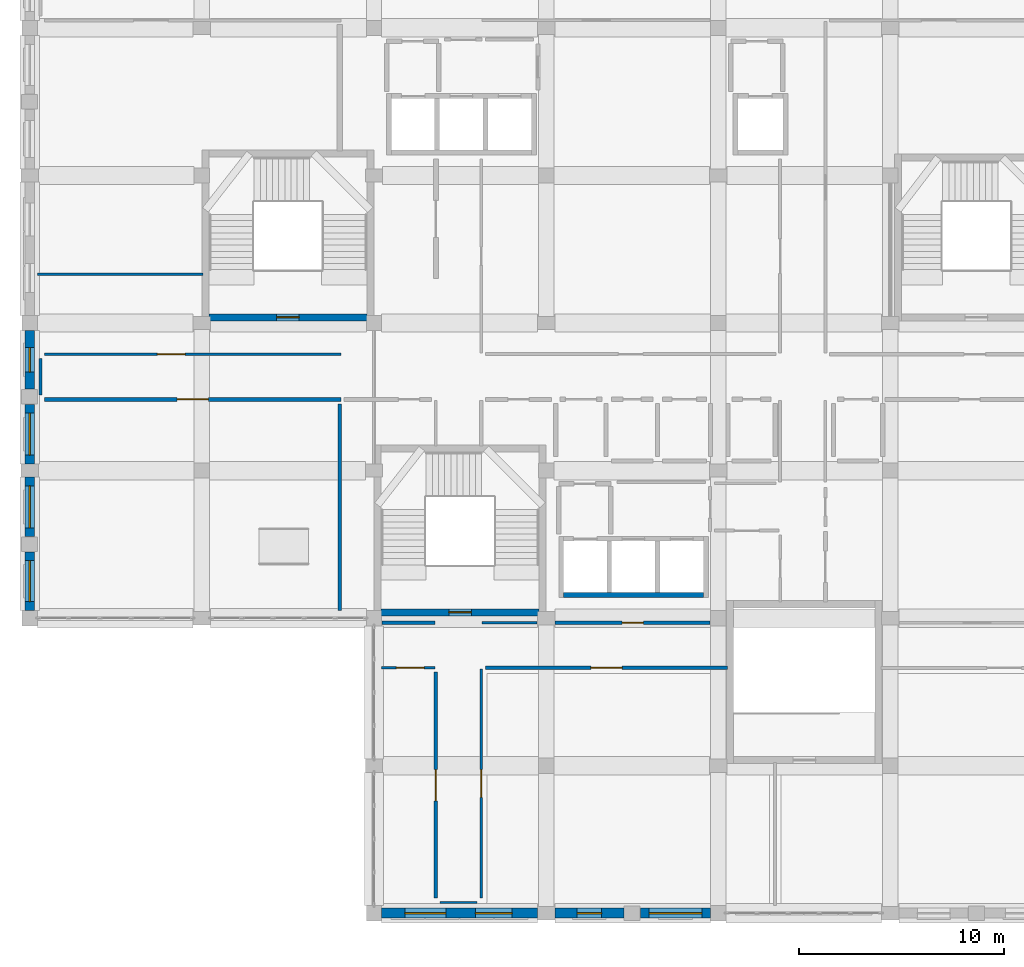
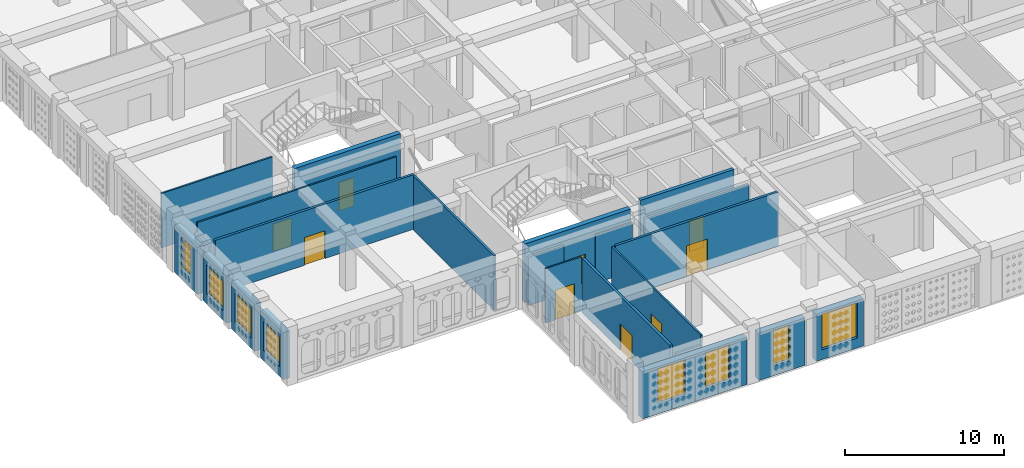
# One storey, part 55 of 111: 23 walls, 9 doors, 8 windows, 17 openings.
"""IFC4 building model written with IfcOpenShell, lengths in metres."""

from ifc_helpers import new_model, si_unit, derived_unit, direction, frame, frame_2d, origin, place, context, subcontext, project, spatial, rectangle, extrude, material, layer, layer_set, type_object, element, fill, save


model = new_model("IFC4")

# Units and contexts
model_context = context("Model", 3, precision=1e-05, world=origin(), true_north=direction((0.0, 1.0)))
body_context = subcontext(model_context, "Body", "Model", "MODEL_VIEW")
ifc_project = project(units=[si_unit("LENGTHUNIT", "METRE"), si_unit("AREAUNIT", "SQUARE_METRE"), si_unit("VOLUMEUNIT", "CUBIC_METRE"), si_unit("PLANEANGLEUNIT", "RADIAN"), si_unit("MASSUNIT", "GRAM", prefix="KILO"), derived_unit("THERMALTRANSMITTANCEUNIT", [(si_unit("POWERUNIT", "WATT"), 1), (si_unit("LENGTHUNIT", "METRE"), -2), (si_unit("THERMODYNAMICTEMPERATUREUNIT", "KELVIN"), -1)])], contexts=[model_context])

# Site, building, storey
site_placement = place(None, origin())
site = spatial("IfcSite", under=ifc_project, at=site_placement, CompositionType="ELEMENT")
building_placement = place(site_placement, origin())
building = spatial("IfcBuilding", under=site, at=building_placement, Name="Veybourne Emporium", CompositionType="ELEMENT")
storey_placement = place(building_placement, frame((0.0, 0.0, 9.89990234375)))
storey = spatial("IfcBuildingStorey", under=building, at=storey_placement, Name="L02", CompositionType="ELEMENT", Elevation=9.89990234375)

# Wall, opening, window
ifc_material_1 = material(Name="Portland Limestone Ashlar", Category="masonry")
ifc_layer_1 = layer(ifc_material_1, 0.47998046875)
ifc_layer_set_1 = layer_set([ifc_layer_1], Name="Portland Limestone Ashlar")
wall_type_1 = type_object("IfcWallType", Name="ExtWall_EW-01", PredefinedType="SOLIDWALL", material=ifc_layer_set_1)
wall_1_placement = place(storey_placement, frame((0.0, 14.77490234375, 0.0), z_axis=(0.0, 0.0, 1.0), x_axis=(0.0, 1.0, 0.0)))
wall_1 = element("IfcWall", 1, at=wall_1_placement, inside=storey, type_object=wall_type_1, Name="L02 Portland stone external wall 002A", PredefinedType="SOLIDWALL", context=body_context, shape_type="SweptSolid", body=[
    extrude(rectangle(XDim=2.85498046875, YDim=0.47998046875, at=frame_2d((1.427490234375, 0.0))), origin(), (0.0, 0.0, 1.0), 3.630126953125),
])
opening_1_placement = place(wall_1_placement, frame((0.427490234375, 0.0, 0.75)))
opening_1 = element("IfcOpeningElement", 2, at=opening_1_placement, cuts=wall_1, Name="Opening W-22", PredefinedType="OPENING", context=body_context, shape_type="SweptSolid", body=[
    extrude(rectangle(XDim=2.0, YDim=2.260009765625, at=frame_2d((1.0, 1.1298828125))), frame((0.0, 0.260009765625, 0.0), z_axis=(0.0, -1.0, 0.0), x_axis=(1.0, 0.0, 0.0)), (0.0, 0.0, 1.0), 0.52001953125),
])
ifc_material_2 = material(Name="Low-E Triple Glazing", Category="glass")
window_type_1 = type_object("IfcWindowType", Name="Win_W-22", PartitioningType="TRIPLE_PANEL_VERTICAL", PredefinedType="WINDOW", material=ifc_material_2)
window_1_placement = place(opening_1_placement, origin())
window_1 = element("IfcWindow", 3, at=window_1_placement, inside=storey, type_object=window_type_1, Name="L02 tripartite bronze casement window W-22 (2A)", OverallHeight=2.260009765625, OverallWidth=2.0, PartitioningType="TRIPLE_PANEL_VERTICAL", PredefinedType="WINDOW", context=body_context, shape_type="SweptSolid", body=[
    extrude(rectangle(XDim=2.0, YDim=2.260009765625, at=frame_2d((1.0, 1.1298828125))), frame((0.0, 0.030029296875, 0.0), z_axis=(0.0, -1.0, 0.0), x_axis=(1.0, 0.0, 0.0)), (0.0, 0.0, 1.0), 0.06005859375),
])
fill(opening_1, window_1)

wall_2_placement = place(storey_placement, frame((0.0, 18.3701171875, 0.0), z_axis=(0.0, 0.0, 1.0), x_axis=(0.0, 1.0, 0.0)))
wall_2 = element("IfcWall", 4, at=wall_2_placement, inside=storey, type_object=wall_type_1, Name="L02 Portland stone external wall 002B", PredefinedType="SOLIDWALL", context=body_context, shape_type="SweptSolid", body=[
    extrude(rectangle(XDim=2.90478515625, YDim=0.47998046875, at=frame_2d((1.452392578125, 0.0))), origin(), (0.0, 0.0, 1.0), 3.630126953125),
])
opening_2_placement = place(wall_2_placement, frame((0.427490234375, 0.0, 0.75)))
opening_2 = element("IfcOpeningElement", 5, at=opening_2_placement, cuts=wall_2, Name="Opening W-23", PredefinedType="OPENING", context=body_context, shape_type="SweptSolid", body=[
    extrude(rectangle(XDim=2.050048828125, YDim=2.260009765625, at=frame_2d((1.02490234375, 1.1298828125))), frame((0.0, 0.260009765625, 0.0), z_axis=(0.0, -1.0, 0.0), x_axis=(1.0, 0.0, 0.0)), (0.0, 0.0, 1.0), 0.52001953125),
])
window_type_2 = type_object("IfcWindowType", Name="Win_W-23", PartitioningType="TRIPLE_PANEL_VERTICAL", PredefinedType="WINDOW", material=ifc_material_2)
window_2_placement = place(opening_2_placement, origin())
window_2 = element("IfcWindow", 6, at=window_2_placement, inside=storey, type_object=window_type_2, Name="L02 tripartite bronze casement window W-23 (2B)", OverallHeight=2.260009765625, OverallWidth=2.050048828125, PartitioningType="TRIPLE_PANEL_VERTICAL", PredefinedType="WINDOW", context=body_context, shape_type="SweptSolid", body=[
    extrude(rectangle(XDim=2.050048828125, YDim=2.260009765625, at=frame_2d((1.02490234375, 1.1298828125))), frame((0.0, 0.030029296875, 0.0), z_axis=(0.0, -1.0, 0.0), x_axis=(1.0, 0.0, 0.0)), (0.0, 0.0, 1.0), 0.06005859375),
])
fill(opening_2, window_2)

wall_3_placement = place(storey_placement, frame((0.0, 21.925048828125, 0.0), z_axis=(0.0, 0.0, 1.0), x_axis=(0.0, 1.0, 0.0)))
wall_3 = element("IfcWall", 7, at=wall_3_placement, inside=storey, type_object=wall_type_1, Name="L02 Portland stone external wall 003A", PredefinedType="SOLIDWALL", context=body_context, shape_type="SweptSolid", body=[
    extrude(rectangle(XDim=2.905029296875, YDim=0.47998046875, at=frame_2d((1.45263671875, 0.0))), origin(), (0.0, 0.0, 1.0), 3.630126953125),
])
opening_3_placement = place(wall_3_placement, frame((0.427490234375, 0.0, 0.75)))
opening_3 = element("IfcOpeningElement", 8, at=opening_3_placement, cuts=wall_3, Name="Opening W-24", PredefinedType="OPENING", context=body_context, shape_type="SweptSolid", body=[
    extrude(rectangle(XDim=2.050048828125, YDim=2.260009765625, at=frame_2d((1.02490234375, 1.1298828125))), frame((0.0, 0.260009765625, 0.0), z_axis=(0.0, -1.0, 0.0), x_axis=(1.0, 0.0, 0.0)), (0.0, 0.0, 1.0), 0.52001953125),
])
window_type_3 = type_object("IfcWindowType", Name="Win_W-24", PartitioningType="TRIPLE_PANEL_VERTICAL", PredefinedType="WINDOW", material=ifc_material_2)
window_3_placement = place(opening_3_placement, origin())
window_3 = element("IfcWindow", 9, at=window_3_placement, inside=storey, type_object=window_type_3, Name="L02 tripartite bronze casement window W-24 (3A)", OverallHeight=2.260009765625, OverallWidth=2.050048828125, PartitioningType="TRIPLE_PANEL_VERTICAL", PredefinedType="WINDOW", context=body_context, shape_type="SweptSolid", body=[
    extrude(rectangle(XDim=2.050048828125, YDim=2.260009765625, at=frame_2d((1.02490234375, 1.1298828125))), frame((0.0, 0.030029296875, 0.0), z_axis=(0.0, -1.0, 0.0), x_axis=(1.0, 0.0, 0.0)), (0.0, 0.0, 1.0), 0.06005859375),
])
fill(opening_3, window_3)

wall_4_placement = place(storey_placement, frame((0.0, 25.570068359375, 0.0), z_axis=(0.0, 0.0, 1.0), x_axis=(0.0, 1.0, 0.0)))
wall_4 = element("IfcWall", 10, at=wall_4_placement, inside=storey, type_object=wall_type_1, Name="L02 Portland stone external wall 003B", PredefinedType="SOLIDWALL", context=body_context, shape_type="SweptSolid", body=[
    extrude(rectangle(XDim=2.85498046875, YDim=0.47998046875, at=frame_2d((1.427490234375, 0.0))), origin(), (0.0, 0.0, 1.0), 3.630126953125),
])
opening_4_placement = place(wall_4_placement, frame((0.827392578125, 0.0, 0.75)))
opening_4 = element("IfcOpeningElement", 11, at=opening_4_placement, cuts=wall_4, Name="Opening W-25", PredefinedType="OPENING", context=body_context, shape_type="SweptSolid", body=[
    extrude(rectangle(XDim=1.199951171875, YDim=2.43994140625, at=frame_2d((0.60009765625, 1.219970703125))), frame((0.0, 0.260009765625, 0.0), z_axis=(0.0, -1.0, 0.0), x_axis=(1.0, 0.0, 0.0)), (0.0, 0.0, 1.0), 0.52001953125),
])
window_type_4 = type_object("IfcWindowType", Name="Win_W-25", PartitioningType="SINGLE_PANEL", PredefinedType="WINDOW", material=ifc_material_2)
window_4_placement = place(opening_4_placement, origin())
window_4 = element("IfcWindow", 12, at=window_4_placement, inside=storey, type_object=window_type_4, Name="L02 tripartite bronze casement window W-25 (3B)", OverallHeight=2.43994140625, OverallWidth=1.199951171875, PartitioningType="SINGLE_PANEL", PredefinedType="WINDOW", context=body_context, shape_type="SweptSolid", body=[
    extrude(rectangle(XDim=1.199951171875, YDim=2.43994140625, at=frame_2d((0.60009765625, 1.219970703125))), frame((0.0, 0.030029296875, 0.0), z_axis=(0.0, -1.0, 0.0), x_axis=(1.0, 0.0, 0.0)), (0.0, 0.0, 1.0), 0.06005859375),
])
fill(opening_4, window_4)

# Wall, openings, windows
wall_5_placement = place(storey_placement, frame((24.77490234375, 0.0, 0.0), z_axis=(0.0, 0.0, 1.0), x_axis=(-1.0, 0.0, 0.0)))
wall_5 = element("IfcWall", 13, at=wall_5_placement, inside=storey, type_object=wall_type_1, Name="L02 Portland stone external wall 014", PredefinedType="SOLIDWALL", context=body_context, shape_type="SweptSolid", body=[
    extrude(rectangle(XDim=7.599853515625, YDim=0.47998046875, at=frame_2d((3.7998046875, 0.0))), origin(), (0.0, 0.0, 1.0), 3.630126953125),
])
opening_5_placement = place(wall_5_placement, frame((1.22802734375, 0.0, 0.75)))
opening_5 = element("IfcOpeningElement", 14, at=opening_5_placement, cuts=wall_5, Name="Opening W-44", PredefinedType="OPENING", context=body_context, shape_type="SweptSolid", body=[
    extrude(rectangle(XDim=1.800048828125, YDim=2.72998046875, at=frame_2d((0.89990234375, 1.364990234375))), frame((0.0, 0.260009765625, 0.0), z_axis=(0.0, -1.0, 0.0), x_axis=(1.0, 0.0, 0.0)), (0.0, 0.0, 1.0), 0.52001953125),
])
opening_6_placement = place(wall_5_placement, frame((4.471923828125, 0.0, 0.75)))
opening_6 = element("IfcOpeningElement", 15, at=opening_6_placement, cuts=wall_5, Name="Opening W-45", PredefinedType="OPENING", context=body_context, shape_type="SweptSolid", body=[
    extrude(rectangle(XDim=2.0, YDim=2.72998046875, at=frame_2d((1.0, 1.364990234375))), frame((0.0, 0.260009765625, 0.0), z_axis=(0.0, -1.0, 0.0), x_axis=(1.0, 0.0, 0.0)), (0.0, 0.0, 1.0), 0.52001953125),
])
window_type_5 = type_object("IfcWindowType", Name="Win_W-44", PartitioningType="DOUBLE_PANEL_VERTICAL", PredefinedType="WINDOW", material=ifc_material_2)
window_5_placement = place(opening_5_placement, origin())
window_5 = element("IfcWindow", 16, at=window_5_placement, inside=storey, type_object=window_type_5, Name="L02 tripartite bronze casement window W-44 (14.1)", OverallHeight=2.72998046875, OverallWidth=1.800048828125, PartitioningType="DOUBLE_PANEL_VERTICAL", PredefinedType="WINDOW", context=body_context, shape_type="SweptSolid", body=[
    extrude(rectangle(XDim=1.800048828125, YDim=2.72998046875, at=frame_2d((0.89990234375, 1.364990234375))), frame((0.0, 0.030029296875, 0.0), z_axis=(0.0, -1.0, 0.0), x_axis=(1.0, 0.0, 0.0)), (0.0, 0.0, 1.0), 0.06005859375),
])
fill(opening_5, window_5)
window_type_6 = type_object("IfcWindowType", Name="Win_W-45", PartitioningType="TRIPLE_PANEL_VERTICAL", PredefinedType="WINDOW", material=ifc_material_2)
window_6_placement = place(opening_6_placement, origin())
window_6 = element("IfcWindow", 17, at=window_6_placement, inside=storey, type_object=window_type_6, Name="L02 tripartite bronze casement window W-45 (14.2)", OverallHeight=2.72998046875, OverallWidth=2.0, PartitioningType="TRIPLE_PANEL_VERTICAL", PredefinedType="WINDOW", context=body_context, shape_type="SweptSolid", body=[
    extrude(rectangle(XDim=2.0, YDim=2.72998046875, at=frame_2d((1.0, 1.364990234375))), frame((0.0, 0.030029296875, 0.0), z_axis=(0.0, -1.0, 0.0), x_axis=(1.0, 0.0, 0.0)), (0.0, 0.0, 1.0), 0.06005859375),
])
fill(opening_6, window_6)

# Wall, opening, window
wall_6_placement = place(storey_placement, frame((33.22509765625, 0.0, 0.0), z_axis=(0.0, 0.0, 1.0), x_axis=(-1.0, 0.0, 0.0)))
wall_6 = element("IfcWall", 18, at=wall_6_placement, inside=storey, type_object=wall_type_1, Name="L02 Portland stone external wall 019A", PredefinedType="SOLIDWALL", context=body_context, shape_type="SweptSolid", body=[
    extrude(rectangle(XDim=3.425048828125, YDim=0.47998046875, at=frame_2d((1.71240234375, 0.0))), origin(), (0.0, 0.0, 1.0), 3.630126953125),
])
opening_7_placement = place(wall_6_placement, frame((0.427490234375, 0.0, 0.75)))
opening_7 = element("IfcOpeningElement", 19, at=opening_7_placement, cuts=wall_6, Name="Opening W-48", PredefinedType="OPENING", context=body_context, shape_type="SweptSolid", body=[
    extrude(rectangle(XDim=2.570068359375, YDim=2.72998046875, at=frame_2d((1.28515625, 1.364990234375))), frame((0.0, 0.260009765625, 0.0), z_axis=(0.0, -1.0, 0.0), x_axis=(1.0, 0.0, 0.0)), (0.0, 0.0, 1.0), 0.52001953125),
])
window_type_7 = type_object("IfcWindowType", Name="Win_W-48", PartitioningType="TRIPLE_PANEL_VERTICAL", PredefinedType="WINDOW", material=ifc_material_2)
window_7_placement = place(opening_7_placement, origin())
window_7 = element("IfcWindow", 20, at=window_7_placement, inside=storey, type_object=window_type_7, Name="L02 tripartite bronze casement window W-48 (19A)", OverallHeight=2.72998046875, OverallWidth=2.570068359375, PartitioningType="TRIPLE_PANEL_VERTICAL", PredefinedType="WINDOW", context=body_context, shape_type="SweptSolid", body=[
    extrude(rectangle(XDim=2.570068359375, YDim=2.72998046875, at=frame_2d((1.28515625, 1.364990234375))), frame((0.0, 0.030029296875, 0.0), z_axis=(0.0, -1.0, 0.0), x_axis=(1.0, 0.0, 0.0)), (0.0, 0.0, 1.0), 0.06005859375),
])
fill(opening_7, window_7)

wall_7_placement = place(storey_placement, frame((29.0, 0.0, 0.0), z_axis=(0.0, 0.0, 1.0), x_axis=(-1.0, 0.0, 0.0)))
wall_7 = element("IfcWall", 21, at=wall_7_placement, inside=storey, type_object=wall_type_1, Name="L02 Portland stone external wall 019B", PredefinedType="SOLIDWALL", context=body_context, shape_type="SweptSolid", body=[
    extrude(rectangle(XDim=3.375, YDim=0.47998046875, at=frame_2d((1.6875, 0.0))), origin(), (0.0, 0.0, 1.0), 3.630126953125),
])
opening_8_placement = place(wall_7_placement, frame((1.08740234375, 0.0, 0.75)))
opening_8 = element("IfcOpeningElement", 22, at=opening_8_placement, cuts=wall_7, Name="Opening W-49", PredefinedType="OPENING", context=body_context, shape_type="SweptSolid", body=[
    extrude(rectangle(XDim=1.199951171875, YDim=2.72998046875, at=frame_2d((0.60009765625, 1.364990234375))), frame((0.0, 0.260009765625, 0.0), z_axis=(0.0, -1.0, 0.0), x_axis=(1.0, 0.0, 0.0)), (0.0, 0.0, 1.0), 0.52001953125),
])
window_type_8 = type_object("IfcWindowType", Name="Win_W-49", PartitioningType="SINGLE_PANEL", PredefinedType="WINDOW", material=ifc_material_2)
window_8_placement = place(opening_8_placement, origin())
window_8 = element("IfcWindow", 23, at=window_8_placement, inside=storey, type_object=window_type_8, Name="L02 tripartite bronze casement window W-49 (19B)", OverallHeight=2.72998046875, OverallWidth=1.199951171875, PartitioningType="SINGLE_PANEL", PredefinedType="WINDOW", context=body_context, shape_type="SweptSolid", body=[
    extrude(rectangle(XDim=1.199951171875, YDim=2.72998046875, at=frame_2d((0.60009765625, 1.364990234375))), frame((0.0, 0.030029296875, 0.0), z_axis=(0.0, -1.0, 0.0), x_axis=(1.0, 0.0, 0.0)), (0.0, 0.0, 1.0), 0.06005859375),
])
fill(opening_8, window_8)

# Wall, opening, door
ifc_material_3 = material(Name="Concrete C40/50", Category="concrete")
ifc_layer_2 = layer(ifc_material_3, 0.35009765625)
ifc_layer_set_2 = layer_set([ifc_layer_2], Name="Concrete C40/50")
wall_type_2 = type_object("IfcWallType", Name="IntWall_CW-02", PredefinedType="SHEAR", material=ifc_layer_set_2)
wall_8_placement = place(storey_placement, frame((24.85009765625, 14.675048828125, 0.0), z_axis=(0.0, 0.0, 1.0), x_axis=(-1.0, 0.0, 0.0)))
wall_8 = element("IfcWall", 24, at=wall_8_placement, inside=storey, type_object=wall_type_2, Name="Core stair ST-01 south shear wall (L02)", PredefinedType="SHEAR", context=body_context, shape_type="SweptSolid", body=[
    extrude(rectangle(XDim=7.7001953125, YDim=0.35009765625, at=frame_2d((3.85009765625, 0.0))), origin(), (0.0, 0.0, 1.0), 4.5),
])
opening_9_placement = place(wall_8_placement, frame((3.300048828125, 0.0, 0.0)))
opening_9 = element("IfcOpeningElement", 25, at=opening_9_placement, cuts=wall_8, Name="Opening FD-01", PredefinedType="OPENING", context=body_context, shape_type="SweptSolid", body=[
    extrude(rectangle(XDim=1.10009765625, YDim=2.199951171875, at=frame_2d((0.550048828125, 1.10009765625))), frame((0.0, 0.195068359375, 0.0), z_axis=(0.0, -1.0, 0.0), x_axis=(1.0, 0.0, 0.0)), (0.0, 0.0, 1.0), 0.39013671875),
])
ifc_material_4 = material(Name="Patinated Architectural Bronze", Category="bronze")
door_type_1 = type_object("IfcDoorType", Name="FireDoor_FD-01", OperationType="NOTDEFINED", PredefinedType="DOOR", material=ifc_material_4)
door_1_placement = place(opening_9_placement, origin())
door_1 = element("IfcDoor", 26, at=door_1_placement, inside=storey, type_object=door_type_1, Name="Stair ST-01 fire door (L02)", OperationType="SINGLE_SWING_LEFT", OverallHeight=2.199951171875, OverallWidth=1.10009765625, PredefinedType="DOOR", context=body_context, shape_type="SweptSolid", body=[
    extrude(rectangle(XDim=1.10009765625, YDim=2.199951171875, at=frame_2d((0.550048828125, 1.10009765625))), frame((0.0, 0.02490234375, 0.0), z_axis=(0.0, -1.0, 0.0), x_axis=(1.0, 0.0, 0.0)), (0.0, 0.0, 1.0), 0.050048828125),
])
fill(opening_9, door_1)

wall_9_placement = place(storey_placement, frame((16.449951171875, 29.074951171875, 0.0), z_axis=(0.0, 0.0, 1.0), x_axis=(-1.0, 0.0, 0.0)))
wall_9 = element("IfcWall", 27, at=wall_9_placement, inside=storey, type_object=wall_type_2, Name="Core stair ST-02 south shear wall (L02)", PredefinedType="SHEAR", context=body_context, shape_type="SweptSolid", body=[
    extrude(rectangle(XDim=7.699951171875, YDim=0.35009765625, at=frame_2d((3.85009765625, 0.0))), origin(), (0.0, 0.0, 1.0), 4.5),
])
opening_10_placement = place(wall_9_placement, frame((3.300048828125, 0.0, 0.0)))
opening_10 = element("IfcOpeningElement", 28, at=opening_10_placement, cuts=wall_9, Name="Opening FD-01", PredefinedType="OPENING", context=body_context, shape_type="SweptSolid", body=[
    extrude(rectangle(XDim=1.10009765625, YDim=2.199951171875, at=frame_2d((0.550048828125, 1.10009765625))), frame((0.0, 0.195068359375, 0.0), z_axis=(0.0, -1.0, 0.0), x_axis=(1.0, 0.0, 0.0)), (0.0, 0.0, 1.0), 0.39013671875),
])
door_2_placement = place(opening_10_placement, origin())
door_2 = element("IfcDoor", 29, at=door_2_placement, inside=storey, type_object=door_type_1, Name="Stair ST-02 fire door (L02)", OperationType="SINGLE_SWING_RIGHT", OverallHeight=2.199951171875, OverallWidth=1.10009765625, PredefinedType="DOOR", context=body_context, shape_type="SweptSolid", body=[
    extrude(rectangle(XDim=1.10009765625, YDim=2.199951171875, at=frame_2d((0.550048828125, 1.10009765625))), frame((0.0, 0.02490234375, 0.0), z_axis=(0.0, -1.0, 0.0), x_axis=(1.0, 0.0, 0.0)), (0.0, 0.0, 1.0), 0.050048828125),
])
fill(opening_10, door_2)

# Wall
ifc_layer_3 = layer(ifc_material_3, 0.239990234375)
ifc_layer_set_3 = layer_set([ifc_layer_3], Name="Concrete C40/50")
wall_type_3 = type_object("IfcWallType", Name="IntWall_CW-04", PredefinedType="SHEAR", material=ifc_layer_set_3)
wall_10_placement = place(storey_placement, frame((26.06005859375, 15.530029296875, 0.0), z_axis=(0.0, 0.0, 1.0), x_axis=(1.0, 0.0, 0.0)))
element("IfcWall", 30, at=wall_10_placement, inside=storey, type_object=wall_type_3, Name="Lift core C1 south shaft wall (L02)", PredefinedType="SHEAR", context=body_context, shape_type="SweptSolid", body=[
    extrude(rectangle(XDim=6.81982421875, YDim=0.239990234375, at=frame_2d((3.409912109375, 0.0))), origin(), (0.0, 0.0, 1.0), 4.18017578125),
])

# Wall, opening, door
ifc_material_5 = material(Name="Gypsum Acoustic Board", Category="gypsum")
ifc_layer_4 = layer(ifc_material_5, 0.179931640625)
ifc_layer_set_4 = layer_set([ifc_layer_4], Name="Gypsum Acoustic Board")
wall_type_4 = type_object("IfcWallType", Name="IntWall_IW-01", PredefinedType="PARTITIONING", material=ifc_layer_set_4)
wall_11_placement = place(storey_placement, frame((0.72998046875, 25.070068359375, 0.0), z_axis=(0.0, 0.0, 1.0), x_axis=(1.0, 0.0, 0.0)))
wall_11 = element("IfcWall", 31, at=wall_11_placement, inside=storey, type_object=wall_type_4, Name="L02 interior partition IW-01 #027", PredefinedType="PARTITIONING", context=body_context, shape_type="SweptSolid", body=[
    extrude(rectangle(XDim=14.449951171875, YDim=0.179931640625, at=frame_2d((7.22509765625, 0.0))), origin(), (0.0, 0.0, 1.0), 4.18017578125),
])
opening_11_placement = place(wall_11_placement, frame((6.465087890625, 0.0, 0.0)))
opening_11 = element("IfcOpeningElement", 32, at=opening_11_placement, cuts=wall_11, Name="Opening D-11", PredefinedType="OPENING", context=body_context, shape_type="SweptSolid", body=[
    extrude(rectangle(XDim=1.52001953125, YDim=2.1298828125, at=frame_2d((0.760009765625, 1.06494140625))), frame((0.0, 0.10986328125, 0.0), z_axis=(0.0, -1.0, 0.0), x_axis=(1.0, 0.0, 0.0)), (0.0, 0.0, 1.0), 0.219970703125),
])
ifc_material_6 = material(Name="European Oak Veneer and Bronze", Category="wood")
door_type_2 = type_object("IfcDoorType", Name="IntDoor_D-11", OperationType="NOTDEFINED", PredefinedType="DOOR", material=ifc_material_6)
door_3_placement = place(opening_11_placement, origin())
door_3 = element("IfcDoor", 33, at=door_3_placement, inside=storey, type_object=door_type_2, Name="L02 interior door D-11 (PART-L02-027)", OperationType="SINGLE_SWING_LEFT", OverallHeight=2.1298828125, OverallWidth=1.52001953125, PredefinedType="DOOR", context=body_context, shape_type="SweptSolid", body=[
    extrude(rectangle(XDim=1.52001953125, YDim=2.1298828125, at=frame_2d((0.760009765625, 1.06494140625))), frame((0.0, 0.02490234375, 0.0), z_axis=(0.0, -1.0, 0.0), x_axis=(1.0, 0.0, 0.0)), (0.0, 0.0, 1.0), 0.050048828125),
])
fill(opening_11, door_3)

wall_12_placement = place(storey_placement, frame((25.64501953125, 14.179931640625, 0.0), z_axis=(0.0, 0.0, 1.0), x_axis=(1.0, 0.0, 0.0)))
wall_12 = element("IfcWall", 34, at=wall_12_placement, inside=storey, type_object=wall_type_4, Name="L02 interior partition IW-01 #042", PredefinedType="PARTITIONING", context=body_context, shape_type="SweptSolid", body=[
    extrude(rectangle(XDim=7.56005859375, YDim=0.179931640625, at=frame_2d((3.780029296875, 0.0))), origin(), (0.0, 0.0, 1.0), 3.72998046875),
])
opening_12_placement = place(wall_12_placement, frame((3.260009765625, 0.0, 0.0)))
opening_12 = element("IfcOpeningElement", 35, at=opening_12_placement, cuts=wall_12, Name="Opening D-26", PredefinedType="OPENING", context=body_context, shape_type="SweptSolid", body=[
    extrude(rectangle(XDim=1.0400390625, YDim=2.3701171875, at=frame_2d((0.52001953125, 1.18505859375))), frame((0.0, 0.10986328125, 0.0), z_axis=(0.0, -1.0, 0.0), x_axis=(1.0, 0.0, 0.0)), (0.0, 0.0, 1.0), 0.219970703125),
])
door_type_3 = type_object("IfcDoorType", Name="IntDoor_D-26", OperationType="NOTDEFINED", PredefinedType="DOOR", material=ifc_material_6)
door_4_placement = place(opening_12_placement, origin())
door_4 = element("IfcDoor", 36, at=door_4_placement, inside=storey, type_object=door_type_3, Name="L02 interior door D-26 (PART-L02-042)", OperationType="SINGLE_SWING_LEFT", OverallHeight=2.3701171875, OverallWidth=1.0400390625, PredefinedType="DOOR", context=body_context, shape_type="SweptSolid", body=[
    extrude(rectangle(XDim=1.0400390625, YDim=2.3701171875, at=frame_2d((0.52001953125, 1.18505859375))), frame((0.0, 0.02490234375, 0.0), z_axis=(0.0, -1.0, 0.0), x_axis=(1.0, 0.0, 0.0)), (0.0, 0.0, 1.0), 0.050048828125),
])
fill(opening_12, door_4)

wall_13_placement = place(storey_placement, frame((22.239990234375, 11.969970703125, 0.0), z_axis=(0.0, 0.0, 1.0), x_axis=(1.0, 0.0, 0.0)))
wall_13 = element("IfcWall", 37, at=wall_13_placement, inside=storey, type_object=wall_type_4, Name="L02 interior partition IW-01 #045", PredefinedType="PARTITIONING", context=body_context, shape_type="SweptSolid", body=[
    extrude(rectangle(XDim=11.820068359375, YDim=0.179931640625, at=frame_2d((5.91015625, 0.0))), origin(), (0.0, 0.0, 1.0), 4.18017578125),
])
opening_13_placement = place(wall_13_placement, frame((5.14990234375, 0.0, 0.0)))
opening_13 = element("IfcOpeningElement", 38, at=opening_13_placement, cuts=wall_13, Name="Opening D-29", PredefinedType="OPENING", context=body_context, shape_type="SweptSolid", body=[
    extrude(rectangle(XDim=1.52001953125, YDim=2.3701171875, at=frame_2d((0.760009765625, 1.18505859375))), frame((0.0, 0.10986328125, 0.0), z_axis=(0.0, -1.0, 0.0), x_axis=(1.0, 0.0, 0.0)), (0.0, 0.0, 1.0), 0.219970703125),
])
door_type_4 = type_object("IfcDoorType", Name="IntDoor_D-29", OperationType="NOTDEFINED", PredefinedType="DOOR", material=ifc_material_6)
door_5_placement = place(opening_13_placement, origin())
door_5 = element("IfcDoor", 39, at=door_5_placement, inside=storey, type_object=door_type_4, Name="L02 interior door D-29 (PART-L02-045)", OperationType="SINGLE_SWING_LEFT", OverallHeight=2.3701171875, OverallWidth=1.52001953125, PredefinedType="DOOR", context=body_context, shape_type="SweptSolid", body=[
    extrude(rectangle(XDim=1.52001953125, YDim=2.3701171875, at=frame_2d((0.760009765625, 1.18505859375))), frame((0.0, 0.02490234375, 0.0), z_axis=(0.0, -1.0, 0.0), x_axis=(1.0, 0.0, 0.0)), (0.0, 0.0, 1.0), 0.050048828125),
])
fill(opening_13, door_5)

wall_14_placement = place(storey_placement, frame((19.820068359375, 0.72998046875, 0.0), z_axis=(0.0, 0.0, 1.0), x_axis=(0.0, 1.0, 0.0)))
wall_14 = element("IfcWall", 40, at=wall_14_placement, inside=storey, type_object=wall_type_4, Name="L02 interior partition IW-01 #057", PredefinedType="PARTITIONING", context=body_context, shape_type="SweptSolid", body=[
    extrude(rectangle(XDim=11.030029296875, YDim=0.179931640625, at=frame_2d((5.51513671875, 0.0))), origin(), (0.0, 0.0, 1.0), 4.18017578125),
])
opening_14_placement = place(wall_14_placement, frame((4.7548828125, 0.0, 0.0)))
opening_14 = element("IfcOpeningElement", 41, at=opening_14_placement, cuts=wall_14, Name="Opening D-05", PredefinedType="OPENING", context=body_context, shape_type="SweptSolid", body=[
    extrude(rectangle(XDim=1.52001953125, YDim=2.050048828125, at=frame_2d((0.760009765625, 1.02490234375))), frame((0.0, 0.10986328125, 0.0), z_axis=(0.0, -1.0, 0.0), x_axis=(1.0, 0.0, 0.0)), (0.0, 0.0, 1.0), 0.219970703125),
])
door_type_5 = type_object("IfcDoorType", Name="IntDoor_D-05", OperationType="NOTDEFINED", PredefinedType="DOOR", material=ifc_material_6)
door_6_placement = place(opening_14_placement, origin())
door_6 = element("IfcDoor", 42, at=door_6_placement, inside=storey, type_object=door_type_5, Name="L02 interior door D-05 (PART-L02-057)", OperationType="SINGLE_SWING_LEFT", OverallHeight=2.050048828125, OverallWidth=1.52001953125, PredefinedType="DOOR", context=body_context, shape_type="SweptSolid", body=[
    extrude(rectangle(XDim=1.52001953125, YDim=2.050048828125, at=frame_2d((0.760009765625, 1.02490234375))), frame((0.0, 0.02490234375, 0.0), z_axis=(0.0, -1.0, 0.0), x_axis=(1.0, 0.0, 0.0)), (0.0, 0.0, 1.0), 0.050048828125),
])
fill(opening_14, door_6)

# Walls
wall_15_placement = place(storey_placement, frame((17.195068359375, 14.179931640625, 0.0), z_axis=(0.0, 0.0, 1.0), x_axis=(1.0, 0.0, 0.0)))
element("IfcWall", 43, at=wall_15_placement, inside=storey, type_object=wall_type_4, Name="L02 interior partition IW-01 #111", PredefinedType="PARTITIONING", context=body_context, shape_type="SweptSolid", body=[
    extrude(rectangle(XDim=2.574951171875, YDim=0.179931640625, at=frame_2d((1.28759765625, 0.0))), origin(), (0.0, 0.0, 1.0), 3.72998046875),
])
ifc_layer_5 = layer(ifc_material_5, 0.14990234375)
ifc_layer_set_5 = layer_set([ifc_layer_5], Name="Gypsum Acoustic Board")
wall_type_5 = type_object("IfcWallType", Name="IntWall_IW-02", PredefinedType="PARTITIONING", material=ifc_layer_set_5)
wall_16_placement = place(storey_placement, frame((0.52001953125, 25.280029296875, 0.0), z_axis=(0.0, 0.0, 1.0), x_axis=(0.0, 1.0, 0.0)))
element("IfcWall", 44, at=wall_16_placement, inside=storey, type_object=wall_type_5, Name="L02 interior partition IW-02 #145", PredefinedType="PARTITIONING", context=body_context, shape_type="SweptSolid", body=[
    extrude(rectangle(XDim=1.7900390625, YDim=0.14990234375, at=frame_2d((0.89501953125, 0.0))), origin(), (0.0, 0.0, 1.0), 3.630126953125),
])
wall_17_placement = place(storey_placement, frame((15.1298828125, 14.77001953125, 0.0), z_axis=(0.0, 0.0, 1.0), x_axis=(0.0, 1.0, 0.0)))
element("IfcWall", 45, at=wall_17_placement, inside=storey, type_object=wall_type_5, Name="L02 interior partition IW-02 #184", PredefinedType="PARTITIONING", context=body_context, shape_type="SweptSolid", body=[
    extrude(rectangle(XDim=10.090087890625, YDim=0.14990234375, at=frame_2d((5.044921875, 0.0))), origin(), (0.0, 0.0, 1.0), 4.18017578125),
])

# Wall, opening, door
ifc_layer_6 = layer(ifc_material_5, 0.1201171875)
ifc_layer_set_6 = layer_set([ifc_layer_6], Name="Gypsum Acoustic Board")
wall_type_6 = type_object("IfcWallType", Name="IntWall_IW-03", PredefinedType="PARTITIONING", material=ifc_layer_set_6)
wall_18_placement = place(storey_placement, frame((0.72998046875, 27.280029296875, 0.0), z_axis=(0.0, 0.0, 1.0), x_axis=(1.0, 0.0, 0.0)))
wall_18 = element("IfcWall", 46, at=wall_18_placement, inside=storey, type_object=wall_type_6, Name="L02 interior partition IW-03 #026", PredefinedType="PARTITIONING", context=body_context, shape_type="SweptSolid", body=[
    extrude(rectangle(XDim=14.449951171875, YDim=0.1201171875, at=frame_2d((7.22509765625, 0.0))), origin(), (0.0, 0.0, 1.0), 4.18017578125),
])
opening_15_placement = place(wall_18_placement, frame((5.497802734375, 0.0, 0.0)))
opening_15 = element("IfcOpeningElement", 47, at=opening_15_placement, cuts=wall_18, Name="Opening D-10", PredefinedType="OPENING", context=body_context, shape_type="SweptSolid", body=[
    extrude(rectangle(XDim=1.360107421875, YDim=2.1298828125, at=frame_2d((0.68017578125, 1.06494140625))), frame((0.0, 0.080078125, 0.0), z_axis=(0.0, -1.0, 0.0), x_axis=(1.0, 0.0, 0.0)), (0.0, 0.0, 1.0), 0.16015625),
])
door_type_6 = type_object("IfcDoorType", Name="IntDoor_D-10", OperationType="NOTDEFINED", PredefinedType="DOOR", material=ifc_material_6)
door_7_placement = place(opening_15_placement, origin())
door_7 = element("IfcDoor", 48, at=door_7_placement, inside=storey, type_object=door_type_6, Name="L02 interior door D-10 (PART-L02-026)", OperationType="SINGLE_SWING_RIGHT", OverallHeight=2.1298828125, OverallWidth=1.360107421875, PredefinedType="DOOR", context=body_context, shape_type="SweptSolid", body=[
    extrude(rectangle(XDim=1.360107421875, YDim=2.1298828125, at=frame_2d((0.68017578125, 1.06494140625))), frame((0.0, 0.02490234375, 0.0), z_axis=(0.0, -1.0, 0.0), x_axis=(1.0, 0.0, 0.0)), (0.0, 0.0, 1.0), 0.050048828125),
])
fill(opening_15, door_7)

# Wall
wall_19_placement = place(storey_placement, frame((22.080078125, 14.179931640625, 0.0), z_axis=(0.0, 0.0, 1.0), x_axis=(1.0, 0.0, 0.0)))
element("IfcWall", 49, at=wall_19_placement, inside=storey, type_object=wall_type_6, Name="L02 interior partition IW-03 #041", PredefinedType="PARTITIONING", context=body_context, shape_type="SweptSolid", body=[
    extrude(rectangle(XDim=2.6748046875, YDim=0.1201171875, at=frame_2d((1.33740234375, 0.0))), origin(), (0.0, 0.0, 1.0), 3.72998046875),
])

# Wall, opening, door
wall_20_placement = place(storey_placement, frame((22.030029296875, 0.72998046875, 0.0), z_axis=(0.0, 0.0, 1.0), x_axis=(0.0, 1.0, 0.0)))
wall_20 = element("IfcWall", 50, at=wall_20_placement, inside=storey, type_object=wall_type_6, Name="L02 interior partition IW-03 #056", PredefinedType="PARTITIONING", context=body_context, shape_type="SweptSolid", body=[
    extrude(rectangle(XDim=11.18994140625, YDim=0.1201171875, at=frame_2d((5.594970703125, 0.0))), origin(), (0.0, 0.0, 1.0), 4.18017578125),
])
opening_16_placement = place(wall_20_placement, frame((4.9150390625, 0.0, 0.0)))
opening_16 = element("IfcOpeningElement", 51, at=opening_16_placement, cuts=wall_20, Name="Opening D-04", PredefinedType="OPENING", context=body_context, shape_type="SweptSolid", body=[
    extrude(rectangle(XDim=1.360107421875, YDim=2.050048828125, at=frame_2d((0.68017578125, 1.02490234375))), frame((0.0, 0.080078125, 0.0), z_axis=(0.0, -1.0, 0.0), x_axis=(1.0, 0.0, 0.0)), (0.0, 0.0, 1.0), 0.16015625),
])
door_type_7 = type_object("IfcDoorType", Name="IntDoor_D-04", OperationType="NOTDEFINED", PredefinedType="DOOR", material=ifc_material_6)
door_8_placement = place(opening_16_placement, origin())
door_8 = element("IfcDoor", 52, at=door_8_placement, inside=storey, type_object=door_type_7, Name="L02 interior door D-04 (PART-L02-056)", OperationType="SINGLE_SWING_RIGHT", OverallHeight=2.050048828125, OverallWidth=1.360107421875, PredefinedType="DOOR", context=body_context, shape_type="SweptSolid", body=[
    extrude(rectangle(XDim=1.360107421875, YDim=2.050048828125, at=frame_2d((0.68017578125, 1.02490234375))), frame((0.0, 0.02490234375, 0.0), z_axis=(0.0, -1.0, 0.0), x_axis=(1.0, 0.0, 0.0)), (0.0, 0.0, 1.0), 0.050048828125),
])
fill(opening_16, door_8)

wall_21_placement = place(storey_placement, frame((17.169921875, 11.969970703125, 0.0), z_axis=(0.0, 0.0, 1.0), x_axis=(1.0, 0.0, 0.0)))
wall_21 = element("IfcWall", 53, at=wall_21_placement, inside=storey, type_object=wall_type_6, Name="L02 interior partition IW-03 #110", PredefinedType="PARTITIONING", context=body_context, shape_type="SweptSolid", body=[
    extrude(rectangle(XDim=2.60009765625, YDim=0.1201171875, at=frame_2d((1.300048828125, 0.0))), origin(), (0.0, 0.0, 1.0), 4.18017578125),
])
opening_17_placement = place(wall_21_placement, frame((0.71923828125, 0.0, 0.0)))
opening_17 = element("IfcOpeningElement", 54, at=opening_17_placement, cuts=wall_21, Name="Opening D-22", PredefinedType="OPENING", context=body_context, shape_type="SweptSolid", body=[
    extrude(rectangle(XDim=1.360107421875, YDim=2.2900390625, at=frame_2d((0.68017578125, 1.14501953125))), frame((0.0, 0.080078125, 0.0), z_axis=(0.0, -1.0, 0.0), x_axis=(1.0, 0.0, 0.0)), (0.0, 0.0, 1.0), 0.16015625),
])
door_type_8 = type_object("IfcDoorType", Name="IntDoor_D-22", OperationType="NOTDEFINED", PredefinedType="DOOR", material=ifc_material_6)
door_9_placement = place(opening_17_placement, origin())
door_9 = element("IfcDoor", 55, at=door_9_placement, inside=storey, type_object=door_type_8, Name="L02 interior door D-22 (PART-L02-110)", OperationType="SINGLE_SWING_RIGHT", OverallHeight=2.2900390625, OverallWidth=1.360107421875, PredefinedType="DOOR", context=body_context, shape_type="SweptSolid", body=[
    extrude(rectangle(XDim=1.360107421875, YDim=2.2900390625, at=frame_2d((0.68017578125, 1.14501953125))), frame((0.0, 0.02490234375, 0.0), z_axis=(0.0, -1.0, 0.0), x_axis=(1.0, 0.0, 0.0)), (0.0, 0.0, 1.0), 0.050048828125),
])
fill(opening_17, door_9)

# Walls
wall_22_placement = place(storey_placement, frame((20.030029296875, 0.52001953125, 0.0), z_axis=(0.0, 0.0, 1.0), x_axis=(1.0, 0.0, 0.0)))
element("IfcWall", 56, at=wall_22_placement, inside=storey, type_object=wall_type_6, Name="L02 interior partition IW-03 #146", PredefinedType="PARTITIONING", context=body_context, shape_type="SweptSolid", body=[
    extrude(rectangle(XDim=1.7900390625, YDim=0.1201171875, at=frame_2d((0.89501953125, 0.0))), origin(), (0.0, 0.0, 1.0), 3.630126953125),
])
wall_23_placement = place(storey_placement, frame((0.3701171875, 31.173095703125, 0.0), z_axis=(0.0, 0.0, 1.0), x_axis=(1.0, 0.0, 0.0)))
element("IfcWall", 57, at=wall_23_placement, inside=storey, type_object=wall_type_6, Name="L02 interior partition IW-03 #188", PredefinedType="PARTITIONING", context=body_context, shape_type="SweptSolid", body=[
    extrude(rectangle(XDim=8.08984375, YDim=0.1201171875, at=frame_2d((4.044921875, 0.0))), origin(), (0.0, 0.0, 1.0), 4.18017578125),
])

save(model, "model.ifc")
